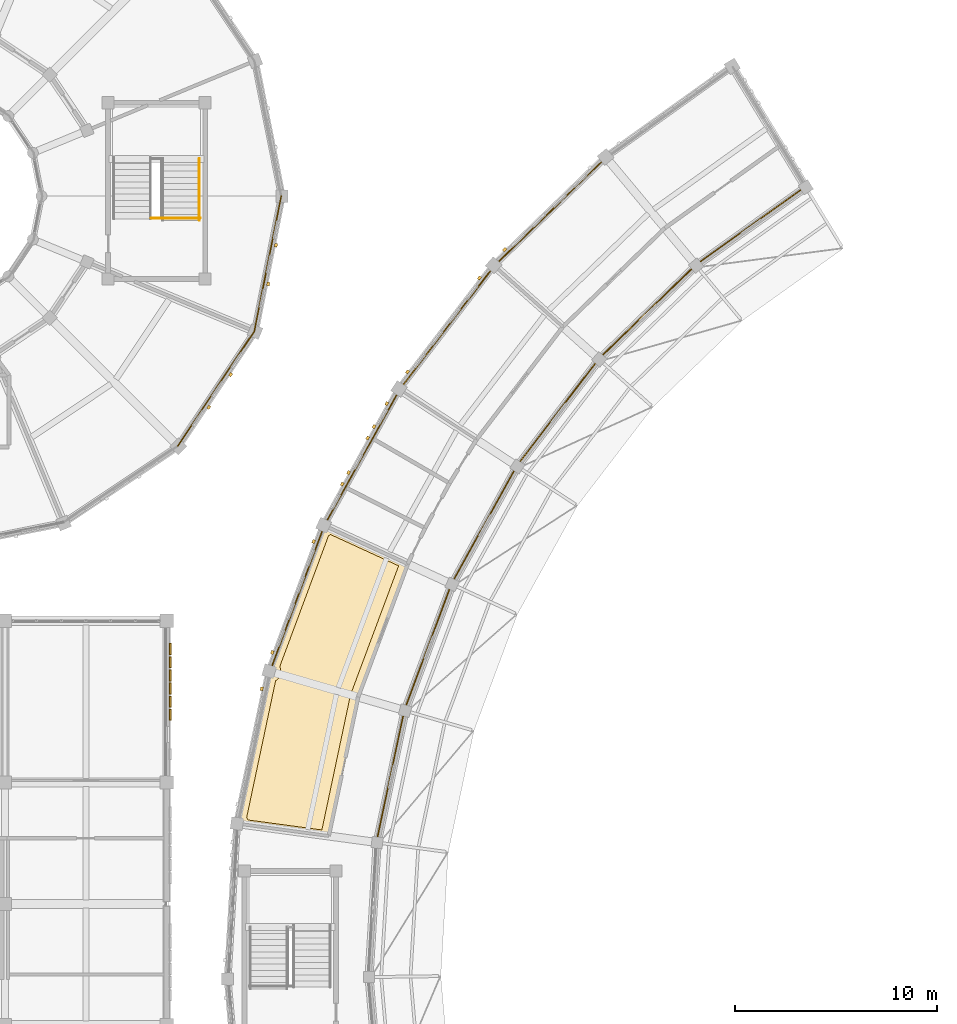
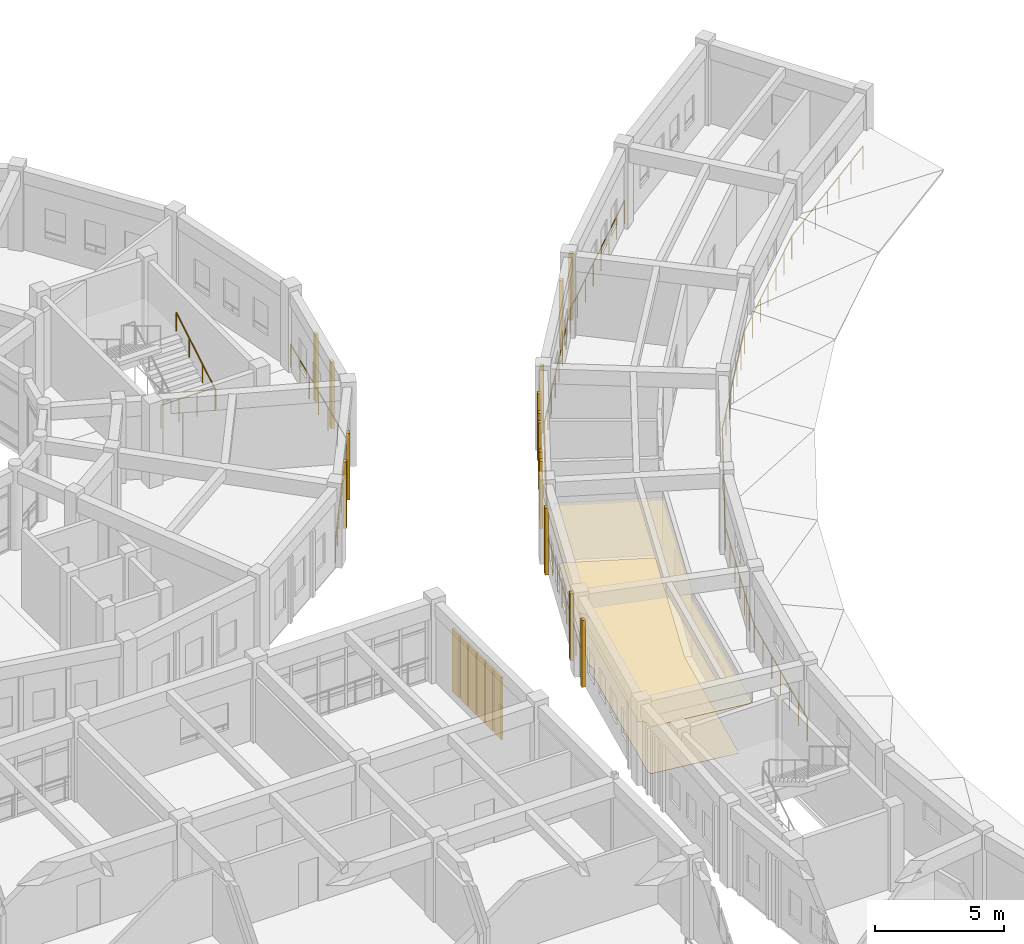
# One storey, part 103 of 112: 17 coverings, 14 railings, 6 shading devices.
"""IFC4 building model written with IfcOpenShell, lengths in metres."""

from ifc_helpers import new_model, si_unit, direction, frame, origin, origin_2d, place, context, subcontext, project, spatial, polyline, rectangle, circle, outline, extrude, material, layer, layer_set, type_object, element, save


model = new_model("IFC4")

# Units and contexts
model_context = context("Model", 3, precision=1e-05, world=origin(), true_north=direction((0.0, 1.0)))
body_context = subcontext(model_context, "Body", "Model", "MODEL_VIEW")
ifc_project = project(units=[si_unit("LENGTHUNIT", "METRE"), si_unit("AREAUNIT", "SQUARE_METRE"), si_unit("VOLUMEUNIT", "CUBIC_METRE"), si_unit("PLANEANGLEUNIT", "RADIAN"), si_unit("MASSUNIT", "GRAM", prefix="KILO")], contexts=[model_context])

# Site, building, storey
site_placement = place(None, origin())
site = spatial("IfcSite", under=ifc_project, at=site_placement, CompositionType="ELEMENT")
building_placement = place(site_placement, origin())
building = spatial("IfcBuilding", under=site, at=building_placement, Name="Celadon Cloister-Ring School", CompositionType="ELEMENT")
storey_placement = place(building_placement, frame((0.0, 0.0, 8.5)))
storey = spatial("IfcBuildingStorey", under=building, at=storey_placement, Name="L02", CompositionType="ELEMENT", Elevation=8.5)

# Coverings
ifc_material_1 = material(Name="Mineral-fibre acoustic ceiling board")
ifc_layer_1 = layer(ifc_material_1, 0.02001953125)
ifc_layer_set_1 = layer_set([ifc_layer_1], Name="Mineral-fibre acoustic ceiling board")
covering_type_1 = type_object("IfcCoveringType", Name="CV-CL1", PredefinedType="CEILING", material=ifc_layer_set_1)
covering_1_placement = place(storey_placement, frame((0.0, 0.0, 2.550048828125)))
element("IfcCovering", 1, at=covering_1_placement, inside=storey, type_object=covering_type_1, Name="Acoustic Ceiling 0014", PredefinedType="CEILING", context=body_context, shape_type="SweptSolid", body=[
    extrude(outline(polyline([(39.625, 80.43505859375), (39.694091796875, 80.412109375), (39.787109375, 80.407958984375), (39.84912109375, 80.419921875), (39.93408203125, 80.4599609375), (40.0029296875, 80.52294921875), (40.0380859375, 80.574951171875), (40.070068359375, 80.6640625), (40.074951171875, 80.74609375), (40.093994140625, 80.739990234375), (43.85595703125, 79.011962890625), (43.90087890625, 78.98193359375), (43.93505859375, 78.94091796875), (43.9560546875, 78.89111328125), (43.9609375, 78.85595703125), (43.949951171875, 78.784912109375), (41.5009765625, 72.218994140625), (40.044921875, 65.339111328125), (40.02587890625, 65.2880859375), (39.97998046875, 65.23388671875), (39.93310546875, 65.2080078125), (39.881103515625, 65.196044921875), (35.743896484375, 65.7529296875), (35.7119140625, 65.762939453125), (35.7509765625, 65.820068359375), (35.782958984375, 65.908935546875), (35.787109375, 66.001953125), (35.764892578125, 66.093017578125), (35.716064453125, 66.174072265625), (35.672119140625, 66.218017578125), (35.591064453125, 66.26708984375), (35.51611328125, 66.287109375), (36.97802734375, 73.199951171875), (37.033935546875, 73.18994140625), (37.095947265625, 73.18994140625), (37.157958984375, 73.201904296875), (37.216064453125, 73.22607421875), (37.26806640625, 73.260986328125), (37.31201171875, 73.304931640625), (37.361083984375, 73.385986328125), (37.37890625, 73.446044921875), (37.385009765625, 73.508056640625), (37.37890625, 73.570068359375), (37.346923828125, 73.658935546875), (37.31201171875, 73.7109375), (37.26806640625, 73.7548828125), (37.216064453125, 73.7900390625), (37.156982421875, 73.81396484375), (39.625, 80.43505859375)])), origin(), (0.0, 0.0, 1.0), 0.02001953125),
])
ifc_material_2 = material(Name="Polished cement-marble terrazzo tile", Category="masonry")
ifc_layer_2 = layer(ifc_material_2, 0.01806640625)
ifc_layer_set_2 = layer_set([ifc_layer_2], Name="Polished cement-marble terrazzo tile")
covering_type_2 = type_object("IfcCoveringType", Name="CV-FL1", PredefinedType="FLOORING", material=ifc_layer_set_2)
covering_2_placement = place(storey_placement, origin())
element("IfcCovering", 2, at=covering_2_placement, inside=storey, type_object=covering_type_2, Name="Terrazzo Flooring 0013", PredefinedType="FLOORING", context=body_context, shape_type="SweptSolid", body=[
    extrude(outline(polyline([(36.010009765625, 66.14990234375), (36.0, 66.177978515625), (35.990966796875, 66.199951171875), (35.97705078125, 66.22900390625), (35.966064453125, 66.25), (35.951904296875, 66.27294921875), (37.383056640625, 73.034912109375), (37.39208984375, 73.041015625), (37.4169921875, 73.06005859375), (37.43603515625, 73.074951171875), (37.458984375, 73.095947265625), (37.47705078125, 73.114013671875), (37.498046875, 73.136962890625), (37.512939453125, 73.156005859375), (37.531982421875, 73.180908203125), (37.5458984375, 73.201904296875), (37.56201171875, 73.22900390625), (37.572998046875, 73.25), (37.5869140625, 73.279052734375), (37.595947265625, 73.301025390625), (37.60693359375, 73.3310546875), (37.614013671875, 73.35400390625), (37.62109375, 73.385009765625), (37.6259765625, 73.408935546875), (37.631103515625, 73.43994140625), (37.633056640625, 73.464111328125), (37.635009765625, 73.49609375), (37.635009765625, 73.52001953125), (37.633056640625, 73.552001953125), (37.631103515625, 73.575927734375), (37.6259765625, 73.60693359375), (37.62109375, 73.631103515625), (37.614013671875, 73.662109375), (37.60693359375, 73.68505859375), (37.595947265625, 73.715087890625), (37.587890625, 73.73388671875), (40.0009765625, 80.2119140625), (40.013916015625, 80.218017578125), (40.034912109375, 80.22900390625), (40.06201171875, 80.2451171875), (40.0830078125, 80.259033203125), (40.093994140625, 80.26806640625), (43.466064453125, 78.718017578125), (41.093994140625, 72.35595703125), (41.087890625, 72.339111328125), (41.0830078125, 72.321044921875), (39.672119140625, 65.655029296875), (36.010009765625, 66.14990234375)])), origin(), (0.0, 0.0, 1.0), 0.01806640625),
])
ifc_material_3 = material(Name="Perforated terracotta clay brick masonry", Category="masonry")
ifc_layer_3 = layer(ifc_material_3, 0.139892578125)
ifc_layer_set_3 = layer_set([ifc_layer_3], Name="Perforated terracotta clay brick masonry")
covering_type_3 = type_object("IfcCoveringType", Name="CV-SC1", PredefinedType="CLADDING", material=ifc_layer_set_3)
for number, where, z_axis, x_axis, name in (
    (3, (48.7109375, 94.35595703125, 0.0), (0.0, 0.0, 1.0), (0.718587686634, 0.695436364176, 0.0), "Brick Screen Rib 0235"),
    (4, (43.906982421875, 88.31103515625, 0.0), (0.0, 0.0, 1.0), (0.6079857272, 0.793947955172, 0.0), "Brick Screen Rib 0237"),
    (5, (47.464111328125, 92.955078125, 0.0), (0.0, 0.0, 1.0), (0.6079857272, 0.793947955172, 0.0), "Brick Screen Rib 0238"),
    (6, (40.678955078125, 82.760009765625, 0.0), (0.0, 0.0, 1.0), (0.483832358408, 0.875160698933, 0.0), "Brick Screen Rib 0239"),
    (7, (40.992919921875, 83.3291015625, 0.0), (0.0, 0.0, 1.0), (0.483832358408, 0.875160698933, 0.0), "Brick Screen Rib 0240"),
    (8, (41.93701171875, 85.034912109375, 0.0), (0.0, 0.0, 1.0), (0.483832358408, 0.875160698933, 0.0), "Brick Screen Rib 0241"),
    (9, (42.2509765625, 85.60400390625, 0.0), (0.0, 0.0, 1.0), (0.483832358408, 0.875160698933, 0.0), "Brick Screen Rib 0242"),
    (10, (42.8798828125, 86.741943359375, 0.0), (0.0, 0.0, 1.0), (0.483832358408, 0.875160698933, 0.0), "Brick Screen Rib 0243"),
    (11, (37.222900390625, 74.43798828125, 0.0), (0.0, 0.0, 1.0), (0.349209954135, 0.937044506912, 0.0), "Brick Screen Rib 0244"),
    (12, (39.26611328125, 79.919921875, 0.0), (0.0, 0.0, 1.0), (0.349209954135, 0.937044506912, 0.0), "Brick Screen Rib 0245"),
    (13, (36.699951171875, 72.637939453125, 0.0), (0.0, 0.0, 1.0), (0.207262913083, 0.978285277851, 0.0), "Brick Screen Rib 0247"),
):
    element("IfcCovering", number, at=place(storey_placement, frame(where, z_axis=z_axis, x_axis=x_axis)), inside=storey, type_object=covering_type_3, Name=name, PredefinedType="CLADDING", context=body_context, shape_type="SweptSolid", body=[
        extrude(rectangle(XDim=0.179931640625, YDim=0.139892578125, at=origin_2d()), origin(), (0.0, 0.0, 1.0), 3.172119140625),
    ])
for number, where, z_axis, x_axis, name in (
    (14, (35.159912109375, 88.177001953125, 0.0), (0.0, 0.0, 1.0), (-0.55567181205, -0.831401730389, 0.0), "Brick Screen Rib 0532"),
    (15, (34.075927734375, 86.555908203125, 0.0), (0.0, 0.0, 1.0), (-0.55567181205, -0.831401730389, 0.0), "Brick Screen Rib 0533"),
    (16, (37.39794921875, 94.572998046875, 0.0), (0.0, 0.0, 1.0), (-0.195141675546, -0.980775064153, 0.0), "Brick Screen Rib 0534"),
    (17, (37.01708984375, 92.660888671875, 0.0), (0.0, 0.0, 1.0), (-0.195141675546, -0.980775064153, 0.0), "Brick Screen Rib 0535"),
):
    element("IfcCovering", number, at=place(storey_placement, frame(where, z_axis=z_axis, x_axis=x_axis)), inside=storey, type_object=covering_type_3, Name=name, PredefinedType="CLADDING", context=body_context, shape_type="SweptSolid", body=[
        extrude(rectangle(XDim=0.179931640625, YDim=0.139892578125, at=origin_2d()), origin(), (0.0, 0.0, 1.0), 3.152099609375),
    ])

# Railings
ifc_material_4 = material(Name="Structural steel S355JR", Category="steel")
railing_type_1 = type_object("IfcRailingType", Name="RL-BL1", PredefinedType="BALUSTRADE", material=ifc_material_4)
railing_1_placement = place(storey_placement, frame((53.72900390625, 98.910888671875, 0.0)))
element("IfcRailing", 18, at=railing_1_placement, inside=storey, type_object=railing_type_1, Name="Terrace Balustrade 0074", PredefinedType="BALUSTRADE", context=body_context, shape_type="SweptSolid", body=[
    extrude(circle(Radius=0.02392578125, at=origin_2d()), frame((0.0, 0.0, 1.09619140625), z_axis=(-0.718571468131, -0.695453122208, 0.0), x_axis=(0.695453122208, -0.718571468131, 0.0)), (0.0, 0.0, 1.0), 7.698486328125),
    extrude(circle(Radius=0.02099609375, at=origin_2d()), origin(), (0.0, 0.0, 1.0), 1.072021484375),
    extrude(circle(Radius=0.02099609375, at=origin_2d()), frame((-0.790283203125, -0.764892578125, 0.0)), (0.0, 0.0, 1.0), 1.072021484375),
    extrude(circle(Radius=0.02099609375, at=origin_2d()), frame((-1.58056640625, -1.52978515625, 0.0)), (0.0, 0.0, 1.0), 1.072021484375),
    extrude(circle(Radius=0.02099609375, at=origin_2d()), frame((-2.370849609375, -2.294677734375, 0.0)), (0.0, 0.0, 1.0), 1.072021484375),
    extrude(circle(Radius=0.02099609375, at=origin_2d()), frame((-3.1611328125, -3.059326171875, 0.0)), (0.0, 0.0, 1.0), 1.072021484375),
    extrude(circle(Radius=0.02099609375, at=origin_2d()), frame((-3.951416015625, -3.82421875, 0.0)), (0.0, 0.0, 1.0), 1.072021484375),
    extrude(circle(Radius=0.02099609375, at=origin_2d()), frame((-4.74169921875, -4.589111328125, 0.0)), (0.0, 0.0, 1.0), 1.072021484375),
    extrude(circle(Radius=0.02099609375, at=origin_2d()), frame((-5.531982421875, -5.35400390625, 0.0)), (0.0, 0.0, 1.0), 1.072021484375),
])
railing_2_placement = place(storey_placement, frame((48.197021484375, 93.556884765625, 0.0)))
element("IfcRailing", 19, at=railing_2_placement, inside=storey, type_object=railing_type_1, Name="Terrace Balustrade 0075", PredefinedType="BALUSTRADE", context=body_context, shape_type="SweptSolid", body=[
    extrude(circle(Radius=0.02392578125, at=origin_2d()), frame((0.0, 0.0, 1.09619140625), z_axis=(-0.607877382965, -0.794030910783, 0.0), x_axis=(0.794030910783, -0.607877382965, 0.0)), (0.0, 0.0, 1.0), 7.697265625),
    extrude(circle(Radius=0.02099609375, at=origin_2d()), origin(), (0.0, 0.0, 1.0), 1.072021484375),
    extrude(circle(Radius=0.02099609375, at=origin_2d()), frame((-0.66845703125, -0.873046875, 0.0)), (0.0, 0.0, 1.0), 1.072021484375),
    extrude(circle(Radius=0.02099609375, at=origin_2d()), frame((-1.3369140625, -1.746337890625, 0.0)), (0.0, 0.0, 1.0), 1.072021484375),
    extrude(circle(Radius=0.02099609375, at=origin_2d()), frame((-2.00537109375, -2.619384765625, 0.0)), (0.0, 0.0, 1.0), 1.072021484375),
    extrude(circle(Radius=0.02099609375, at=origin_2d()), frame((-2.673583984375, -3.492431640625, 0.0)), (0.0, 0.0, 1.0), 1.072021484375),
    extrude(circle(Radius=0.02099609375, at=origin_2d()), frame((-3.342041015625, -4.365478515625, 0.0)), (0.0, 0.0, 1.0), 1.072021484375),
    extrude(circle(Radius=0.02099609375, at=origin_2d()), frame((-4.010498046875, -5.23876953125, 0.0)), (0.0, 0.0, 1.0), 1.072021484375),
    extrude(circle(Radius=0.02099609375, at=origin_2d()), frame((-4.678955078125, -6.11181640625, 0.0)), (0.0, 0.0, 1.0), 1.072021484375),
])
railing_3_placement = place(storey_placement, frame((43.51806640625, 87.445068359375, 0.0)))
element("IfcRailing", 20, at=railing_3_placement, inside=storey, type_object=railing_type_1, Name="Terrace Balustrade 0076", PredefinedType="BALUSTRADE", context=body_context, shape_type="SweptSolid", body=[
    extrude(circle(Radius=0.02392578125, at=origin_2d()), frame((0.0, 0.0, 1.09619140625), z_axis=(-0.484034517871, -0.875048904638, 0.0), x_axis=(0.875048904638, -0.484034517871, 0.0)), (0.0, 0.0, 1.0), 7.697998046875),
    extrude(circle(Radius=0.02099609375, at=origin_2d()), origin(), (0.0, 0.0, 1.0), 1.072021484375),
    extrude(circle(Radius=0.02099609375, at=origin_2d()), frame((-0.5322265625, -0.96240234375, 0.0)), (0.0, 0.0, 1.0), 1.072021484375),
    extrude(circle(Radius=0.02099609375, at=origin_2d()), frame((-1.064697265625, -1.924560546875, 0.0)), (0.0, 0.0, 1.0), 1.072021484375),
    extrude(circle(Radius=0.02099609375, at=origin_2d()), frame((-1.596923828125, -2.886962890625, 0.0)), (0.0, 0.0, 1.0), 1.072021484375),
    extrude(circle(Radius=0.02099609375, at=origin_2d()), frame((-2.129150390625, -3.84912109375, 0.0)), (0.0, 0.0, 1.0), 1.072021484375),
    extrude(circle(Radius=0.02099609375, at=origin_2d()), frame((-2.661376953125, -4.8115234375, 0.0)), (0.0, 0.0, 1.0), 1.072021484375),
    extrude(circle(Radius=0.02099609375, at=origin_2d()), frame((-3.19384765625, -5.773681640625, 0.0)), (0.0, 0.0, 1.0), 1.072021484375),
    extrude(circle(Radius=0.02099609375, at=origin_2d()), frame((-3.72607421875, -6.736083984375, 0.0)), (0.0, 0.0, 1.0), 1.072021484375),
])
railing_4_placement = place(storey_placement, frame((39.7919921875, 80.708984375, 0.0)))
element("IfcRailing", 21, at=railing_4_placement, inside=storey, type_object=railing_type_1, Name="Terrace Balustrade 0077", PredefinedType="BALUSTRADE", context=body_context, shape_type="SweptSolid", body=[
    extrude(circle(Radius=0.02392578125, at=origin_2d()), frame((0.0, 0.0, 1.09619140625), z_axis=(-0.349315433681, -0.93700519091, 0.0), x_axis=(0.93700519091, -0.349315433681, 0.0)), (0.0, 0.0, 1.0), 7.69775390625),
    extrude(circle(Radius=0.02099609375, at=origin_2d()), origin(), (0.0, 0.0, 1.0), 1.072021484375),
    extrude(circle(Radius=0.02099609375, at=origin_2d()), frame((-0.384033203125, -1.030517578125, 0.0)), (0.0, 0.0, 1.0), 1.072021484375),
    extrude(circle(Radius=0.02099609375, at=origin_2d()), frame((-0.768310546875, -2.060791015625, 0.0)), (0.0, 0.0, 1.0), 1.072021484375),
    extrude(circle(Radius=0.02099609375, at=origin_2d()), frame((-1.15234375, -3.09130859375, 0.0)), (0.0, 0.0, 1.0), 1.072021484375),
    extrude(circle(Radius=0.02099609375, at=origin_2d()), frame((-1.53662109375, -4.12158203125, 0.0)), (0.0, 0.0, 1.0), 1.072021484375),
    extrude(circle(Radius=0.02099609375, at=origin_2d()), frame((-1.920654296875, -5.152099609375, 0.0)), (0.0, 0.0, 1.0), 1.072021484375),
    extrude(circle(Radius=0.02099609375, at=origin_2d()), frame((-2.304931640625, -6.182373046875, 0.0)), (0.0, 0.0, 1.0), 1.072021484375),
    extrude(circle(Radius=0.02099609375, at=origin_2d()), frame((-2.68896484375, -7.212890625, 0.0)), (0.0, 0.0, 1.0), 1.072021484375),
])
railing_5_placement = place(storey_placement, frame((63.5869140625, 97.47705078125, 0.0)))
element("IfcRailing", 22, at=railing_5_placement, inside=storey, type_object=railing_type_1, Name="Terrace Balustrade 0108", PredefinedType="BALUSTRADE", context=body_context, shape_type="SweptSolid", body=[
    extrude(circle(Radius=0.02392578125, at=origin_2d()), frame((0.0, 0.0, 1.09619140625), z_axis=(-0.813332778837, -0.581798754613, 0.0), x_axis=(0.581798754613, -0.813332778837, 0.0)), (0.0, 0.0, 1.0), 6.672607421875),
    extrude(circle(Radius=0.02099609375, at=origin_2d()), origin(), (0.0, 0.0, 1.0), 1.072021484375),
    extrude(circle(Radius=0.02099609375, at=origin_2d()), frame((-0.904541015625, -0.64697265625, 0.0)), (0.0, 0.0, 1.0), 1.072021484375),
    extrude(circle(Radius=0.02099609375, at=origin_2d()), frame((-1.80908203125, -1.2939453125, 0.0)), (0.0, 0.0, 1.0), 1.072021484375),
    extrude(circle(Radius=0.02099609375, at=origin_2d()), frame((-2.71337890625, -1.94091796875, 0.0)), (0.0, 0.0, 1.0), 1.072021484375),
    extrude(circle(Radius=0.02099609375, at=origin_2d()), frame((-3.617919921875, -2.588134765625, 0.0)), (0.0, 0.0, 1.0), 1.072021484375),
    extrude(circle(Radius=0.02099609375, at=origin_2d()), frame((-4.5224609375, -3.235107421875, 0.0)), (0.0, 0.0, 1.0), 1.072021484375),
    extrude(circle(Radius=0.02099609375, at=origin_2d()), frame((-5.427001953125, -3.882080078125, 0.0)), (0.0, 0.0, 1.0), 1.072021484375),
])
railing_6_placement = place(storey_placement, frame((58.159912109375, 93.594970703125, 0.0)))
element("IfcRailing", 23, at=railing_6_placement, inside=storey, type_object=railing_type_1, Name="Terrace Balustrade 0109", PredefinedType="BALUSTRADE", context=body_context, shape_type="SweptSolid", body=[
    extrude(circle(Radius=0.02392578125, at=origin_2d()), frame((0.0, 0.0, 1.09619140625), z_axis=(-0.718628684271, -0.695393999214, 0.0), x_axis=(0.695393999214, -0.718628684271, 0.0)), (0.0, 0.0, 1.0), 6.67236328125),
    extrude(circle(Radius=0.02099609375, at=origin_2d()), origin(), (0.0, 0.0, 1.0), 1.072021484375),
    extrude(circle(Radius=0.02099609375, at=origin_2d()), frame((-0.799072265625, -0.7734375, 0.0)), (0.0, 0.0, 1.0), 1.072021484375),
    extrude(circle(Radius=0.02099609375, at=origin_2d()), frame((-1.598388671875, -1.546630859375, 0.0)), (0.0, 0.0, 1.0), 1.072021484375),
    extrude(circle(Radius=0.02099609375, at=origin_2d()), frame((-2.3974609375, -2.31982421875, 0.0)), (0.0, 0.0, 1.0), 1.072021484375),
    extrude(circle(Radius=0.02099609375, at=origin_2d()), frame((-3.196533203125, -3.09326171875, 0.0)), (0.0, 0.0, 1.0), 1.072021484375),
    extrude(circle(Radius=0.02099609375, at=origin_2d()), frame((-3.995849609375, -3.86669921875, 0.0)), (0.0, 0.0, 1.0), 1.072021484375),
    extrude(circle(Radius=0.02099609375, at=origin_2d()), frame((-4.794921875, -4.639892578125, 0.0)), (0.0, 0.0, 1.0), 1.072021484375),
])
railing_7_placement = place(storey_placement, frame((53.364990234375, 88.955078125, 0.0)))
element("IfcRailing", 24, at=railing_7_placement, inside=storey, type_object=railing_type_1, Name="Terrace Balustrade 0110", PredefinedType="BALUSTRADE", context=body_context, shape_type="SweptSolid", body=[
    extrude(circle(Radius=0.02392578125, at=origin_2d()), frame((0.0, 0.0, 1.09619140625), z_axis=(-0.607868330809, -0.79403784066, 0.0), x_axis=(0.79403784066, -0.607868330809, 0.0)), (0.0, 0.0, 1.0), 6.67236328125),
    extrude(circle(Radius=0.02099609375, at=origin_2d()), origin(), (0.0, 0.0, 1.0), 1.072021484375),
    extrude(circle(Radius=0.02099609375, at=origin_2d()), frame((-0.676025390625, -0.883056640625, 0.0)), (0.0, 0.0, 1.0), 1.072021484375),
    extrude(circle(Radius=0.02099609375, at=origin_2d()), frame((-1.35205078125, -1.76611328125, 0.0)), (0.0, 0.0, 1.0), 1.072021484375),
    extrude(circle(Radius=0.02099609375, at=origin_2d()), frame((-2.02783203125, -2.64892578125, 0.0)), (0.0, 0.0, 1.0), 1.072021484375),
    extrude(circle(Radius=0.02099609375, at=origin_2d()), frame((-2.703857421875, -3.531982421875, 0.0)), (0.0, 0.0, 1.0), 1.072021484375),
    extrude(circle(Radius=0.02099609375, at=origin_2d()), frame((-3.3798828125, -4.4150390625, 0.0)), (0.0, 0.0, 1.0), 1.072021484375),
    extrude(circle(Radius=0.02099609375, at=origin_2d()), frame((-4.055908203125, -5.298095703125, 0.0)), (0.0, 0.0, 1.0), 1.072021484375),
])
railing_8_placement = place(storey_placement, frame((49.30908203125, 83.656982421875, 0.0)))
element("IfcRailing", 25, at=railing_8_placement, inside=storey, type_object=railing_type_1, Name="Terrace Balustrade 0111", PredefinedType="BALUSTRADE", context=body_context, shape_type="SweptSolid", body=[
    extrude(circle(Radius=0.02392578125, at=origin_2d()), frame((0.0, 0.0, 1.09619140625), z_axis=(-0.484057808808, -0.87503602082, 0.0), x_axis=(0.87503602082, -0.484057808808, 0.0)), (0.0, 0.0, 1.0), 6.672607421875),
    extrude(circle(Radius=0.02099609375, at=origin_2d()), origin(), (0.0, 0.0, 1.0), 1.072021484375),
    extrude(circle(Radius=0.02099609375, at=origin_2d()), frame((-0.538330078125, -0.97314453125, 0.0)), (0.0, 0.0, 1.0), 1.072021484375),
    extrude(circle(Radius=0.02099609375, at=origin_2d()), frame((-1.07666015625, -1.9462890625, 0.0)), (0.0, 0.0, 1.0), 1.072021484375),
    extrude(circle(Radius=0.02099609375, at=origin_2d()), frame((-1.614990234375, -2.91943359375, 0.0)), (0.0, 0.0, 1.0), 1.072021484375),
    extrude(circle(Radius=0.02099609375, at=origin_2d()), frame((-2.1533203125, -3.892578125, 0.0)), (0.0, 0.0, 1.0), 1.072021484375),
    extrude(circle(Radius=0.02099609375, at=origin_2d()), frame((-2.691650390625, -4.86572265625, 0.0)), (0.0, 0.0, 1.0), 1.072021484375),
    extrude(circle(Radius=0.02099609375, at=origin_2d()), frame((-3.22998046875, -5.8388671875, 0.0)), (0.0, 0.0, 1.0), 1.072021484375),
])
railing_9_placement = place(storey_placement, frame((46.0791015625, 77.818115234375, 0.0)))
element("IfcRailing", 26, at=railing_9_placement, inside=storey, type_object=railing_type_1, Name="Terrace Balustrade 0112", PredefinedType="BALUSTRADE", context=body_context, shape_type="SweptSolid", body=[
    extrude(circle(Radius=0.02392578125, at=origin_2d()), frame((0.0, 0.0, 1.09619140625), z_axis=(-0.349346515714, -0.936993602944, 0.0), x_axis=(0.936993602944, -0.349346515714, 0.0)), (0.0, 0.0, 1.0), 6.672607421875),
    extrude(circle(Radius=0.02099609375, at=origin_2d()), origin(), (0.0, 0.0, 1.0), 1.072021484375),
    extrude(circle(Radius=0.02099609375, at=origin_2d()), frame((-0.388427734375, -1.0419921875, 0.0)), (0.0, 0.0, 1.0), 1.072021484375),
    extrude(circle(Radius=0.02099609375, at=origin_2d()), frame((-0.777099609375, -2.083984375, 0.0)), (0.0, 0.0, 1.0), 1.072021484375),
    extrude(circle(Radius=0.02099609375, at=origin_2d()), frame((-1.16552734375, -3.1259765625, 0.0)), (0.0, 0.0, 1.0), 1.072021484375),
    extrude(circle(Radius=0.02099609375, at=origin_2d()), frame((-1.553955078125, -4.168212890625, 0.0)), (0.0, 0.0, 1.0), 1.072021484375),
    extrude(circle(Radius=0.02099609375, at=origin_2d()), frame((-1.942626953125, -5.210205078125, 0.0)), (0.0, 0.0, 1.0), 1.072021484375),
    extrude(circle(Radius=0.02099609375, at=origin_2d()), frame((-2.3310546875, -6.252197265625, 0.0)), (0.0, 0.0, 1.0), 1.072021484375),
])
railing_10_placement = place(storey_placement, frame((43.748046875, 71.56591796875, 0.0)))
element("IfcRailing", 27, at=railing_10_placement, inside=storey, type_object=railing_type_1, Name="Terrace Balustrade 0113", PredefinedType="BALUSTRADE", context=body_context, shape_type="SweptSolid", body=[
    extrude(circle(Radius=0.02392578125, at=origin_2d()), frame((0.0, 0.0, 1.09619140625), z_axis=(-0.206989572624, -0.978343148811, 0.0), x_axis=(0.978343148811, -0.206989572624, 0.0)), (0.0, 0.0, 1.0), 6.67236328125),
    extrude(circle(Radius=0.02099609375, at=origin_2d()), origin(), (0.0, 0.0, 1.0), 1.072021484375),
    extrude(circle(Radius=0.02099609375, at=origin_2d()), frame((-0.230224609375, -1.087890625, 0.0)), (0.0, 0.0, 1.0), 1.072021484375),
    extrude(circle(Radius=0.02099609375, at=origin_2d()), frame((-0.46044921875, -2.176025390625, 0.0)), (0.0, 0.0, 1.0), 1.072021484375),
    extrude(circle(Radius=0.02099609375, at=origin_2d()), frame((-0.6904296875, -3.263916015625, 0.0)), (0.0, 0.0, 1.0), 1.072021484375),
    extrude(circle(Radius=0.02099609375, at=origin_2d()), frame((-0.920654296875, -4.351806640625, 0.0)), (0.0, 0.0, 1.0), 1.072021484375),
    extrude(circle(Radius=0.02099609375, at=origin_2d()), frame((-1.15087890625, -5.43994140625, 0.0)), (0.0, 0.0, 1.0), 1.072021484375),
    extrude(circle(Radius=0.02099609375, at=origin_2d()), frame((-1.381103515625, -6.52783203125, 0.0)), (0.0, 0.0, 1.0), 1.072021484375),
])
railing_11_placement = place(storey_placement, frame((32.5458984375, 84.654052734375, 0.0)))
element("IfcRailing", 28, at=railing_11_placement, inside=storey, type_object=railing_type_1, Name="Terrace Balustrade 0263", PredefinedType="BALUSTRADE", context=body_context, shape_type="SweptSolid", body=[
    extrude(circle(Radius=0.02392578125, at=origin_2d()), frame((0.0, 0.0, 1.09619140625), z_axis=(0.555626116577, 0.831432269387, 0.0), x_axis=(-0.831432269387, 0.555626116577, 0.0)), (0.0, 0.0, 1.0), 6.8125),
    extrude(circle(Radius=0.02099609375, at=origin_2d()), origin(), (0.0, 0.0, 1.0), 1.072021484375),
    extrude(circle(Radius=0.02099609375, at=origin_2d()), frame((0.630859375, 0.944091796875, 0.0)), (0.0, 0.0, 1.0), 1.072021484375),
    extrude(circle(Radius=0.02099609375, at=origin_2d()), frame((1.26171875, 1.887939453125, 0.0)), (0.0, 0.0, 1.0), 1.072021484375),
    extrude(circle(Radius=0.02099609375, at=origin_2d()), frame((1.892578125, 2.83203125, 0.0)), (0.0, 0.0, 1.0), 1.072021484375),
    extrude(circle(Radius=0.02099609375, at=origin_2d()), frame((2.5234375, 3.776123046875, 0.0)), (0.0, 0.0, 1.0), 1.072021484375),
    extrude(circle(Radius=0.02099609375, at=origin_2d()), frame((3.154296875, 4.719970703125, 0.0)), (0.0, 0.0, 1.0), 1.072021484375),
    extrude(circle(Radius=0.02099609375, at=origin_2d()), frame((3.78515625, 5.6640625, 0.0)), (0.0, 0.0, 1.0), 1.072021484375),
])
railing_12_placement = place(storey_placement, frame((36.3310546875, 90.318115234375, 0.0)))
element("IfcRailing", 29, at=railing_12_placement, inside=storey, type_object=railing_type_1, Name="Terrace Balustrade 0264", PredefinedType="BALUSTRADE", context=body_context, shape_type="SweptSolid", body=[
    extrude(circle(Radius=0.02392578125, at=origin_2d()), frame((0.0, 0.0, 1.09619140625), z_axis=(0.19505472673, 0.980792360074, 0.0), x_axis=(-0.980792360074, 0.19505472673, 0.0)), (0.0, 0.0, 1.0), 6.812744140625),
    extrude(circle(Radius=0.02099609375, at=origin_2d()), origin(), (0.0, 0.0, 1.0), 1.072021484375),
    extrude(circle(Radius=0.02099609375, at=origin_2d()), frame((0.221435546875, 1.11376953125, 0.0)), (0.0, 0.0, 1.0), 1.072021484375),
    extrude(circle(Radius=0.02099609375, at=origin_2d()), frame((0.44287109375, 2.227294921875, 0.0)), (0.0, 0.0, 1.0), 1.072021484375),
    extrude(circle(Radius=0.02099609375, at=origin_2d()), frame((0.66455078125, 3.3408203125, 0.0)), (0.0, 0.0, 1.0), 1.072021484375),
    extrude(circle(Radius=0.02099609375, at=origin_2d()), frame((0.885986328125, 4.45458984375, 0.0)), (0.0, 0.0, 1.0), 1.072021484375),
    extrude(circle(Radius=0.02099609375, at=origin_2d()), frame((1.107421875, 5.568359375, 0.0)), (0.0, 0.0, 1.0), 1.072021484375),
    extrude(circle(Radius=0.02099609375, at=origin_2d()), frame((1.328857421875, 6.681884765625, 0.0)), (0.0, 0.0, 1.0), 1.072021484375),
])
ifc_material_5 = material(Name="Structural steel S355JR", Category="steel")
railing_type_2 = type_object("IfcRailingType", Name="RL-BL2", PredefinedType="BALUSTRADE", material=ifc_material_5)
railing_13_placement = place(storey_placement, frame((31.239990234375, 95.9150390625, 0.0)))
element("IfcRailing", 30, at=railing_13_placement, inside=storey, type_object=railing_type_2, Name="Interior Guard 0151", PredefinedType="BALUSTRADE", context=body_context, shape_type="SweptSolid", body=[
    extrude(circle(Radius=0.02392578125, at=origin_2d()), frame((0.0, 0.0, 1.09619140625), z_axis=(1.0, 0.0, 0.0), x_axis=(0.0, 1.0, 0.0)), (0.0, 0.0, 1.0), 2.419921875),
    extrude(circle(Radius=0.02099609375, at=origin_2d()), origin(), (0.0, 0.0, 1.0), 1.072021484375),
    extrude(circle(Radius=0.02099609375, at=origin_2d()), frame((0.806640625, 0.0, 0.0)), (0.0, 0.0, 1.0), 1.072021484375),
    extrude(circle(Radius=0.02099609375, at=origin_2d()), frame((1.61328125, 0.0, 0.0)), (0.0, 0.0, 1.0), 1.072021484375),
    extrude(circle(Radius=0.02099609375, at=origin_2d()), frame((2.419921875, 0.0, 0.0)), (0.0, 0.0, 1.0), 1.072021484375),
])
ifc_material_6 = material(Name="Structural steel S355JR", Category="steel")
railing_type_3 = type_object("IfcRailingType", Name="RL-HR1", PredefinedType="HANDRAIL", material=ifc_material_6)
railing_14_placement = place(storey_placement, frame((33.614990234375, 95.800048828125, 0.181884765625)))
element("IfcRailing", 31, at=railing_14_placement, inside=storey, type_object=railing_type_3, Name="Stair Handrail 0146", PredefinedType="HANDRAIL", context=body_context, shape_type="SweptSolid", body=[
    extrude(circle(Radius=0.02099609375, at=origin_2d()), frame((0.0, 0.0, 0.87890625), z_axis=(0.0, 0.858969654429, 0.51202649616), x_axis=(-1.0, 0.0, 0.0)), (0.0, 0.0, 1.0), 3.55078125),
    extrude(circle(Radius=0.01806640625, at=origin_2d()), origin(), (0.0, 0.0, 1.0), 0.85791015625),
    extrude(circle(Radius=0.01806640625, at=origin_2d()), frame((0.0, 1.0166015625, 0.60595703125)), (0.0, 0.0, 1.0), 0.85791015625),
    extrude(circle(Radius=0.01806640625, at=origin_2d()), frame((0.0, 2.033447265625, 1.212158203125)), (0.0, 0.0, 1.0), 0.85791015625),
    extrude(circle(Radius=0.01806640625, at=origin_2d()), frame((0.0, 3.050048828125, 1.818115234375)), (0.0, 0.0, 1.0), 0.85791015625),
])

# Shading devices
ifc_material_7 = material(Name="Glazed celadon architectural terracotta", Category="masonry")
shading_device_type = type_object("IfcShadingDeviceType", Name="SD-01", PredefinedType="USERDEFINED", material=ifc_material_7)
for number, where, z_axis, x_axis, name in (
    (32, (32.172119140625, 74.60009765625, 0.0), (0.0, 0.0, 1.0), (0.0, -1.0, 0.0), "Celadon Sunshade Screen 0179"),
    (33, (32.172119140625, 73.949951171875, 0.0), (0.0, 0.0, 1.0), (0.0, -1.0, 0.0), "Celadon Sunshade Screen 0180"),
    (34, (32.172119140625, 73.300048828125, 0.0), (0.0, 0.0, 1.0), (0.0, -1.0, 0.0), "Celadon Sunshade Screen 0181"),
    (35, (32.172119140625, 72.64990234375, 0.0), (0.0, 0.0, 1.0), (0.0, -1.0, 0.0), "Celadon Sunshade Screen 0182"),
    (36, (32.172119140625, 72.0, 0.0), (0.0, 0.0, 1.0), (0.0, -1.0, 0.0), "Celadon Sunshade Screen 0183"),
    (37, (32.172119140625, 71.35009765625, 0.0), (0.0, 0.0, 1.0), (0.0, -1.0, 0.0), "Celadon Sunshade Screen 0184"),
):
    element("IfcShadingDevice", number, at=place(storey_placement, frame(where, z_axis=z_axis, x_axis=x_axis)), inside=storey, type_object=shading_device_type, Name=name, ObjectType="SUNSHADE", PredefinedType="USERDEFINED", context=body_context, shape_type="SweptSolid", body=[
        extrude(rectangle(XDim=0.56005859375, YDim=0.090087890625, at=origin_2d()), origin(), (0.0, 0.0, 1.0), 2.949951171875),
    ])

save(model, "model.ifc")
